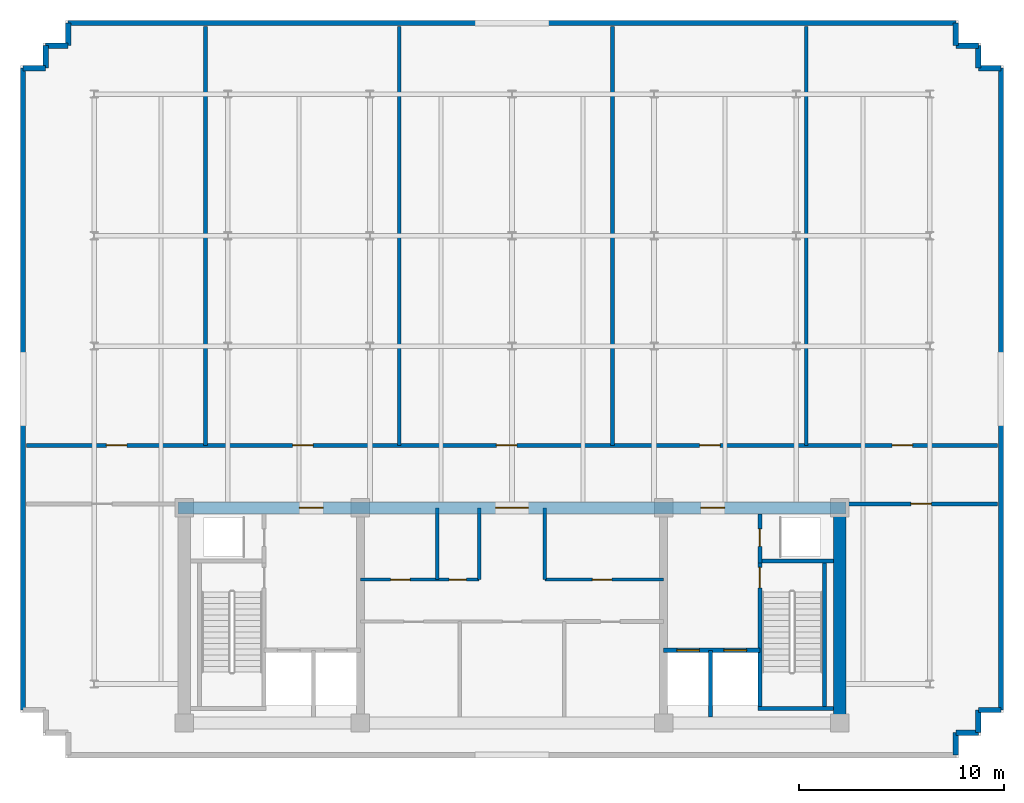
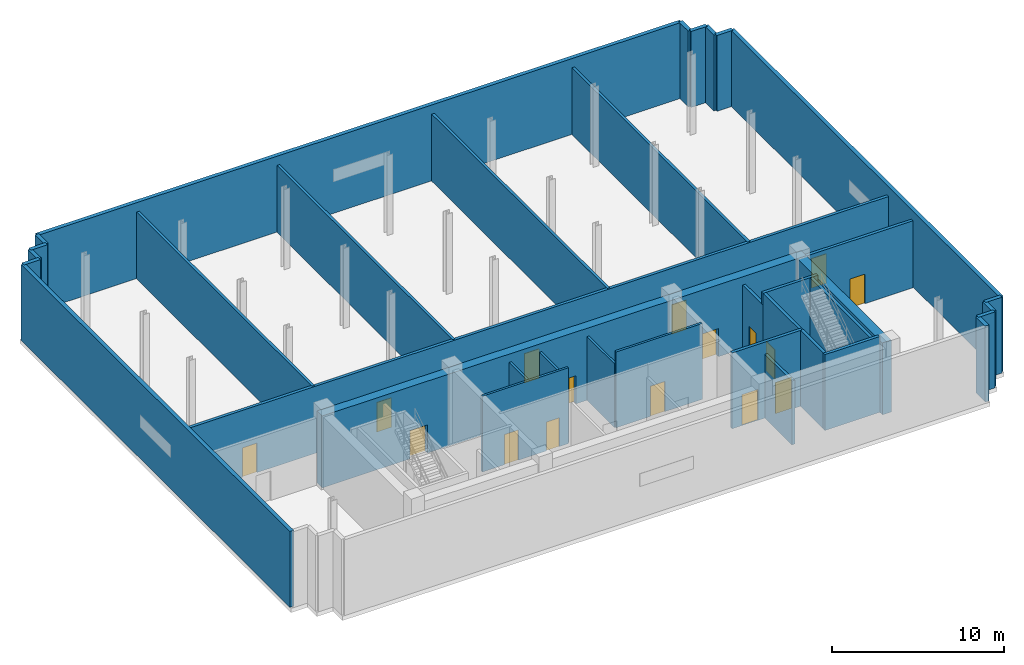
# One storey, part 3 of 6: 35 walls, 16 doors, 16 openings.
"""IFC4 building model written with IfcOpenShell, lengths in metres."""

from ifc_helpers import new_model, si_unit, direction, frame, frame_2d, origin, place, context, subcontext, project, spatial, rectangle, extrude, material, layer, layer_set, type_object, element, fill, save


model = new_model("IFC4")

# Units and contexts
model_context = context("Model", 3, precision=1e-05, world=origin(), true_north=direction((0.0, 1.0)))
body_context = subcontext(model_context, "Body", "Model", "MODEL_VIEW")
ifc_project = project(units=[si_unit("LENGTHUNIT", "METRE"), si_unit("AREAUNIT", "SQUARE_METRE"), si_unit("VOLUMEUNIT", "CUBIC_METRE"), si_unit("PLANEANGLEUNIT", "RADIAN"), si_unit("MASSUNIT", "GRAM", prefix="KILO")], contexts=[model_context])

# Site, building, storey
site_placement = place(None, origin())
site = spatial("IfcSite", under=ifc_project, at=site_placement, CompositionType="ELEMENT")
building_placement = place(site_placement, origin())
building = spatial("IfcBuilding", under=site, at=building_placement, Name="Solmavex Isthmus Hotel", CompositionType="ELEMENT")
storey_placement = place(building_placement, frame((0.0, 0.0, 297.0)))
storey = spatial("IfcBuildingStorey", under=building, at=storey_placement, Name="L80", CompositionType="ELEMENT", Elevation=297.0)

# Walls
ifc_material_1 = material(Name="Precast Concrete C40/50", Category="concrete")
ifc_layer_1 = layer(ifc_material_1, 0.260009765625)
ifc_layer_set_1 = layer_set([ifc_layer_1], Name="Precast Concrete C40/50")
wall_type_1 = type_object("IfcWallType", Name="EW-CRN-260", PredefinedType="STANDARD", material=ifc_layer_set_1)
wall_1_placement = place(storey_placement, frame((-23.8701171875, -12.3701171875, 0.0), z_axis=(0.0, 0.0, 1.0), x_axis=(0.0, 1.0, 0.0)))
element("IfcWall", 1, at=wall_1_placement, inside=storey, type_object=wall_type_1, Name="Plant Acoustic Louvre Enclosure Wall L80-06", PredefinedType="STANDARD", context=body_context, shape_type="SweptSolid", body=[
    extrude(rectangle(XDim=31.340087890625, YDim=0.260009765625, at=frame_2d((15.669921875, 0.0))), origin(), (0.0, 0.0, 1.0), 5.39990234375),
])
for number, where, z_axis, x_axis, name in (
    (2, (-23.8701171875, 18.969970703125, 0.0), (0.0, 0.0, 1.0), (1.0, 0.0, 0.0), "Plant Acoustic Louvre Enclosure Wall L80-07"),
    (3, (-22.77001953125, 18.969970703125, 0.0), (0.0, 0.0, 1.0), (0.0, 1.0, 0.0), "Plant Acoustic Louvre Enclosure Wall L80-08"),
    (4, (-22.77001953125, 20.070068359375, 0.0), (0.0, 0.0, 1.0), (1.0, 0.0, 0.0), "Plant Acoustic Louvre Enclosure Wall L80-09"),
):
    element("IfcWall", number, at=place(storey_placement, frame(where, z_axis=z_axis, x_axis=x_axis)), inside=storey, type_object=wall_type_1, Name=name, PredefinedType="STANDARD", context=body_context, shape_type="SweptSolid", body=[
        extrude(rectangle(XDim=1.10009765625, YDim=0.260009765625, at=frame_2d((0.550048828125, 0.0))), origin(), (0.0, 0.0, 1.0), 5.39990234375),
    ])
wall_2_placement = place(storey_placement, frame((-21.669921875, 20.070068359375, 0.0), z_axis=(0.0, 0.0, 1.0), x_axis=(0.0, 1.0, 0.0)))
element("IfcWall", 5, at=wall_2_placement, inside=storey, type_object=wall_type_1, Name="Plant Acoustic Louvre Enclosure Wall L80-10", PredefinedType="STANDARD", context=body_context, shape_type="SweptSolid", body=[
    extrude(rectangle(XDim=1.099853515625, YDim=0.260009765625, at=frame_2d((0.5498046875, 0.0))), origin(), (0.0, 0.0, 1.0), 5.39990234375),
])
wall_3_placement = place(storey_placement, frame((-21.669921875, 21.169921875, 0.0), z_axis=(0.0, 0.0, 1.0), x_axis=(1.0, 0.0, 0.0)))
element("IfcWall", 6, at=wall_3_placement, inside=storey, type_object=wall_type_1, Name="Plant Acoustic Louvre Enclosure Wall L80-11", PredefinedType="STANDARD", context=body_context, shape_type="SweptSolid", body=[
    extrude(rectangle(XDim=43.33984375, YDim=0.260009765625, at=frame_2d((21.669921875, 0.0))), origin(), (0.0, 0.0, 1.0), 5.39990234375),
])
wall_4_placement = place(storey_placement, frame((21.669921875, 21.169921875, 0.0), z_axis=(0.0, 0.0, 1.0), x_axis=(0.0, -1.0, 0.0)))
element("IfcWall", 7, at=wall_4_placement, inside=storey, type_object=wall_type_1, Name="Plant Acoustic Louvre Enclosure Wall L80-12", PredefinedType="STANDARD", context=body_context, shape_type="SweptSolid", body=[
    extrude(rectangle(XDim=1.099853515625, YDim=0.260009765625, at=frame_2d((0.5498046875, 0.0))), origin(), (0.0, 0.0, 1.0), 5.39990234375),
])
for number, where, z_axis, x_axis, name in (
    (8, (21.669921875, 20.070068359375, 0.0), (0.0, 0.0, 1.0), (1.0, 0.0, 0.0), "Plant Acoustic Louvre Enclosure Wall L80-13"),
    (9, (22.77001953125, 20.070068359375, 0.0), (0.0, 0.0, 1.0), (0.0, -1.0, 0.0), "Plant Acoustic Louvre Enclosure Wall L80-14"),
    (10, (22.77001953125, 18.969970703125, 0.0), (0.0, 0.0, 1.0), (1.0, 0.0, 0.0), "Plant Acoustic Louvre Enclosure Wall L80-15"),
):
    element("IfcWall", number, at=place(storey_placement, frame(where, z_axis=z_axis, x_axis=x_axis)), inside=storey, type_object=wall_type_1, Name=name, PredefinedType="STANDARD", context=body_context, shape_type="SweptSolid", body=[
        extrude(rectangle(XDim=1.10009765625, YDim=0.260009765625, at=frame_2d((0.550048828125, 0.0))), origin(), (0.0, 0.0, 1.0), 5.39990234375),
    ])
wall_5_placement = place(storey_placement, frame((23.8701171875, 18.969970703125, 0.0), z_axis=(0.0, 0.0, 1.0), x_axis=(0.0, -1.0, 0.0)))
element("IfcWall", 11, at=wall_5_placement, inside=storey, type_object=wall_type_1, Name="Plant Acoustic Louvre Enclosure Wall L80-16", PredefinedType="STANDARD", context=body_context, shape_type="SweptSolid", body=[
    extrude(rectangle(XDim=31.340087890625, YDim=0.260009765625, at=frame_2d((15.669921875, 0.0))), origin(), (0.0, 0.0, 1.0), 5.39990234375),
])
wall_6_placement = place(storey_placement, frame((23.8701171875, -12.3701171875, 0.0), z_axis=(0.0, 0.0, 1.0), x_axis=(-1.0, 0.0, 0.0)))
element("IfcWall", 12, at=wall_6_placement, inside=storey, type_object=wall_type_1, Name="Plant Acoustic Louvre Enclosure Wall L80-17", PredefinedType="STANDARD", context=body_context, shape_type="SweptSolid", body=[
    extrude(rectangle(XDim=1.10009765625, YDim=0.260009765625, at=frame_2d((0.550048828125, 0.0))), origin(), (0.0, 0.0, 1.0), 5.39990234375),
])
wall_7_placement = place(storey_placement, frame((22.77001953125, -12.3701171875, 0.0), z_axis=(0.0, 0.0, 1.0), x_axis=(0.0, -1.0, 0.0)))
element("IfcWall", 13, at=wall_7_placement, inside=storey, type_object=wall_type_1, Name="Plant Acoustic Louvre Enclosure Wall L80-18", PredefinedType="STANDARD", context=body_context, shape_type="SweptSolid", body=[
    extrude(rectangle(XDim=1.099853515625, YDim=0.260009765625, at=frame_2d((0.5498046875, 0.0))), origin(), (0.0, 0.0, 1.0), 5.39990234375),
])
for number, where, z_axis, x_axis, name in (
    (14, (22.77001953125, -13.469970703125, 0.0), (0.0, 0.0, 1.0), (-1.0, 0.0, 0.0), "Plant Acoustic Louvre Enclosure Wall L80-19"),
    (15, (21.669921875, -13.469970703125, 0.0), (0.0, 0.0, 1.0), (0.0, -1.0, 0.0), "Plant Acoustic Louvre Enclosure Wall L80-20"),
):
    element("IfcWall", number, at=place(storey_placement, frame(where, z_axis=z_axis, x_axis=x_axis)), inside=storey, type_object=wall_type_1, Name=name, PredefinedType="STANDARD", context=body_context, shape_type="SweptSolid", body=[
        extrude(rectangle(XDim=1.10009765625, YDim=0.260009765625, at=frame_2d((0.550048828125, 0.0))), origin(), (0.0, 0.0, 1.0), 5.39990234375),
    ])

# Wall, openings, doors
ifc_material_2 = material(Name="Gypsum plasterboard lining", Category="gypsum")
ifc_layer_2 = layer(ifc_material_2, 0.14990234375)
ifc_layer_set_2 = layer_set([ifc_layer_2], Name="Gypsum plasterboard lining")
wall_type_2 = type_object("IfcWallType", Name="IW-CORR-150", PredefinedType="PARTITIONING", material=ifc_layer_set_2)
wall_8_placement = place(storey_placement, frame((-7.39990234375, -6.0, 0.0), z_axis=(0.0, 0.0, 1.0), x_axis=(1.0, 0.0, 0.0)))
wall_8 = element("IfcWall", 16, at=wall_8_placement, inside=storey, type_object=wall_type_2, Name="Interior Partition Wall W-L80-BOH-WS", PredefinedType="PARTITIONING", context=body_context, shape_type="SweptSolid", body=[
    extrude(rectangle(XDim=5.7998046875, YDim=0.14990234375, at=frame_2d((2.89990234375, 0.0))), origin(), (0.0, 0.0, 1.0), 5.39990234375),
])
opening_1_placement = place(wall_8_placement, frame((1.47509765625, 0.0, 0.0)))
opening_1 = element("IfcOpeningElement", 17, at=opening_1_placement, cuts=wall_8, Name="Opening ID-C095", PredefinedType="OPENING", context=body_context, shape_type="SweptSolid", body=[
    extrude(rectangle(XDim=0.949951171875, YDim=2.14990234375, at=frame_2d((0.47509765625, 1.074951171875))), frame((0.0, 0.0849609375, 0.0), z_axis=(0.0, -1.0, 0.0), x_axis=(1.0, 0.0, 0.0)), (0.0, 0.0, 1.0), 0.169921875),
])
opening_2_placement = place(wall_8_placement, frame((4.324951171875, 0.0, 0.0)))
opening_2 = element("IfcOpeningElement", 18, at=opening_2_placement, cuts=wall_8, Name="Opening ID-R085", PredefinedType="OPENING", context=body_context, shape_type="SweptSolid", body=[
    extrude(rectangle(XDim=0.85009765625, YDim=2.050048828125, at=frame_2d((0.425048828125, 1.02490234375))), frame((0.0, 0.0849609375, 0.0), z_axis=(0.0, -1.0, 0.0), x_axis=(1.0, 0.0, 0.0)), (0.0, 0.0, 1.0), 0.169921875),
])
ifc_material_3 = material(Name="Steel ASTM A500 Grade C", Category="steel")
door_type_1 = type_object("IfcDoorType", Name="IDR-FD60-0850", OperationType="NOTDEFINED", PredefinedType="DOOR", material=ifc_material_3)
door_1_placement = place(opening_2_placement, frame((0.85009765625, 0.0, 0.0), z_axis=(0.0, 0.0, 1.0), x_axis=(-1.0, 0.0, 0.0)))
door_1 = element("IfcDoor", 19, at=door_1_placement, inside=storey, type_object=door_type_1, Name="Cleaner Closet Door L80", OperationType="SINGLE_SWING_RIGHT", OverallHeight=2.050048828125, OverallWidth=0.85009765625, PredefinedType="DOOR", context=body_context, shape_type="SweptSolid", body=[
    extrude(rectangle(XDim=0.85009765625, YDim=2.050048828125, at=frame_2d((0.425048828125, 1.02490234375))), frame((0.0, 0.02490234375, 0.0), z_axis=(0.0, -1.0, 0.0), x_axis=(1.0, 0.0, 0.0)), (0.0, 0.0, 1.0), 0.050048828125),
])
fill(opening_2, door_1)
ifc_material_4 = material(Name="Hardwood timber", Category="wood")
door_type_2 = type_object("IfcDoorType", Name="IDR-FD60-0950", OperationType="NOTDEFINED", PredefinedType="DOOR", material=ifc_material_4)
door_2_placement = place(opening_1_placement, frame((0.949951171875, 0.0, 0.0), z_axis=(0.0, 0.0, 1.0), x_axis=(-1.0, 0.0, 0.0)))
door_2 = element("IfcDoor", 20, at=door_2_placement, inside=storey, type_object=door_type_2, Name="Housekeeping Store Door L80", OperationType="SINGLE_SWING_LEFT", OverallHeight=2.14990234375, OverallWidth=0.949951171875, PredefinedType="DOOR", context=body_context, shape_type="SweptSolid", body=[
    extrude(rectangle(XDim=0.949951171875, YDim=2.14990234375, at=frame_2d((0.47509765625, 1.074951171875))), frame((0.0, 0.02490234375, 0.0), z_axis=(0.0, -1.0, 0.0), x_axis=(1.0, 0.0, 0.0)), (0.0, 0.0, 1.0), 0.050048828125),
])
fill(opening_1, door_2)

# Wall
wall_9_placement = place(storey_placement, frame((-1.60009765625, -6.0, 0.0), z_axis=(0.0, 0.0, 1.0), x_axis=(0.0, 1.0, 0.0)))
element("IfcWall", 21, at=wall_9_placement, inside=storey, type_object=wall_type_2, Name="Interior Partition Wall W-L80-BOH-WE", PredefinedType="PARTITIONING", context=body_context, shape_type="SweptSolid", body=[
    extrude(rectangle(XDim=3.5, YDim=0.14990234375, at=frame_2d((1.75, 0.0))), origin(), (0.0, 0.0, 1.0), 4.534912109375),
])

# Wall, opening, door
wall_10_placement = place(storey_placement, frame((1.60009765625, -6.0, 0.0), z_axis=(0.0, 0.0, 1.0), x_axis=(1.0, 0.0, 0.0)))
wall_10 = element("IfcWall", 22, at=wall_10_placement, inside=storey, type_object=wall_type_2, Name="Interior Partition Wall W-L80-BOH-ES", PredefinedType="PARTITIONING", context=body_context, shape_type="SweptSolid", body=[
    extrude(rectangle(XDim=5.7998046875, YDim=0.14990234375, at=frame_2d((2.89990234375, 0.0))), origin(), (0.0, 0.0, 1.0), 5.39990234375),
])
opening_3_placement = place(wall_10_placement, frame((2.324951171875, 0.0, 0.0)))
opening_3 = element("IfcOpeningElement", 23, at=opening_3_placement, cuts=wall_10, Name="Opening ID-C095", PredefinedType="OPENING", context=body_context, shape_type="SweptSolid", body=[
    extrude(rectangle(XDim=0.949951171875, YDim=2.14990234375, at=frame_2d((0.47509765625, 1.074951171875))), frame((0.0, 0.0849609375, 0.0), z_axis=(0.0, -1.0, 0.0), x_axis=(1.0, 0.0, 0.0)), (0.0, 0.0, 1.0), 0.169921875),
])
door_3_placement = place(opening_3_placement, frame((0.949951171875, 0.0, 0.0), z_axis=(0.0, 0.0, 1.0), x_axis=(-1.0, 0.0, 0.0)))
door_3 = element("IfcDoor", 24, at=door_3_placement, inside=storey, type_object=door_type_2, Name="Butler Pantry Door L80", OperationType="SINGLE_SWING_RIGHT", OverallHeight=2.14990234375, OverallWidth=0.949951171875, PredefinedType="DOOR", context=body_context, shape_type="SweptSolid", body=[
    extrude(rectangle(XDim=0.949951171875, YDim=2.14990234375, at=frame_2d((0.47509765625, 1.074951171875))), frame((0.0, 0.02490234375, 0.0), z_axis=(0.0, -1.0, 0.0), x_axis=(1.0, 0.0, 0.0)), (0.0, 0.0, 1.0), 0.050048828125),
])
fill(opening_3, door_3)

# Walls
wall_11_placement = place(storey_placement, frame((1.60009765625, -6.0, 0.0), z_axis=(0.0, 0.0, 1.0), x_axis=(0.0, 1.0, 0.0)))
element("IfcWall", 25, at=wall_11_placement, inside=storey, type_object=wall_type_2, Name="Interior Partition Wall W-L80-BOH-EW", PredefinedType="PARTITIONING", context=body_context, shape_type="SweptSolid", body=[
    extrude(rectangle(XDim=3.5, YDim=0.14990234375, at=frame_2d((1.75, 0.0))), origin(), (0.0, 0.0, 1.0), 4.534912109375),
])
ifc_layer_3 = layer(ifc_material_2, 0.1201171875)
ifc_layer_set_3 = layer_set([ifc_layer_3], Name="Gypsum plasterboard lining")
wall_type_3 = type_object("IfcWallType", Name="IW-PART-120", PredefinedType="PARTITIONING", material=ifc_layer_set_3)
wall_12_placement = place(storey_placement, frame((-3.64990234375, -6.0, 0.0), z_axis=(0.0, 0.0, 1.0), x_axis=(0.0, 1.0, 0.0)))
element("IfcWall", 26, at=wall_12_placement, inside=storey, type_object=wall_type_3, Name="Interior Partition Wall W-L80-BOH-WM1", PredefinedType="PARTITIONING", context=body_context, shape_type="SweptSolid", body=[
    extrude(rectangle(XDim=3.5, YDim=0.14990234375, at=frame_2d((1.75, 0.0))), origin(), (0.0, 0.0, 1.0), 4.534912109375),
])
ifc_material_5 = material(Name="Concrete C40/50", Category="concrete")
ifc_layer_4 = layer(ifc_material_5, 0.179931640625)
ifc_layer_set_4 = layer_set([ifc_layer_4], Name="Concrete C40/50")
wall_type_4 = type_object("IfcWallType", Name="IW-SHAFT-180", PredefinedType="PARTITIONING", material=ifc_layer_set_4)
for number, where, z_axis, x_axis, name in (
    (27, (-14.9599609375, 0.550048828125, 0.0), (0.0, 0.0, 1.0), (0.0, 1.0, 0.0), "Interior Partition Wall W-L80-PX1"),
    (28, (-5.5, 0.550048828125, 0.0), (0.0, 0.0, 1.0), (0.0, 1.0, 0.0), "Interior Partition Wall W-L80-PX2"),
    (29, (4.909912109375, 0.550048828125, 0.0), (0.0, 0.0, 1.0), (0.0, 1.0, 0.0), "Interior Partition Wall W-L80-PX3"),
    (30, (14.360107421875, 0.550048828125, 0.0), (0.0, 0.0, 1.0), (0.0, 1.0, 0.0), "Interior Partition Wall W-L80-PX4"),
):
    element("IfcWall", number, at=place(storey_placement, frame(where, z_axis=z_axis, x_axis=x_axis)), inside=storey, type_object=wall_type_4, Name=name, PredefinedType="PARTITIONING", context=body_context, shape_type="SweptSolid", body=[
        extrude(rectangle(XDim=20.4599609375, YDim=0.179931640625, at=frame_2d((10.22998046875, 0.0))), origin(), (0.0, 0.0, 1.0), 4.767578125),
    ])

# Wall, opening, door
ifc_layer_5 = layer(ifc_material_5, 0.199951171875)
ifc_layer_set_5 = layer_set([ifc_layer_5], Name="Concrete C40/50")
wall_type_5 = type_object("IfcWallType", Name="IW-SHAFT-200", PredefinedType="PARTITIONING", material=ifc_layer_set_5)
wall_13_placement = place(storey_placement, frame((12.10009765625, -5.199951171875, 0.0), z_axis=(0.0, 0.0, 1.0), x_axis=(0.0, 1.0, 0.0)))
wall_13 = element("IfcWall", 31, at=wall_13_placement, inside=storey, type_object=wall_type_5, Name="Interior Partition Wall W-L80-RSE-W", PredefinedType="PARTITIONING", context=body_context, shape_type="SweptSolid", body=[
    extrude(rectangle(XDim=2.39990234375, YDim=0.199951171875, at=frame_2d((1.199951171875, 0.0))), origin(), (0.0, 0.0, 1.0), 4.534912109375),
])
opening_4_placement = place(wall_13_placement, frame((0.824951171875, 0.0, 0.0)))
opening_4 = element("IfcOpeningElement", 32, at=opening_4_placement, cuts=wall_13, Name="Opening ID-R085", PredefinedType="OPENING", context=body_context, shape_type="SweptSolid", body=[
    extrude(rectangle(XDim=0.85009765625, YDim=2.050048828125, at=frame_2d((0.425048828125, 1.02490234375))), frame((0.0, 0.10986328125, 0.0), z_axis=(0.0, -1.0, 0.0), x_axis=(1.0, 0.0, 0.0)), (0.0, 0.0, 1.0), 0.219970703125),
])
door_4_placement = place(opening_4_placement, frame((0.85009765625, 0.0, 0.0), z_axis=(0.0, 0.0, 1.0), x_axis=(-1.0, 0.0, 0.0)))
door_4 = element("IfcDoor", 33, at=door_4_placement, inside=storey, type_object=door_type_1, Name="Mechanical Riser Door L80", OperationType="SINGLE_SWING_LEFT", OverallHeight=2.050048828125, OverallWidth=0.85009765625, PredefinedType="DOOR", context=body_context, shape_type="SweptSolid", body=[
    extrude(rectangle(XDim=0.85009765625, YDim=2.050048828125, at=frame_2d((0.425048828125, 1.02490234375))), frame((0.0, 0.02490234375, 0.0), z_axis=(0.0, -1.0, 0.0), x_axis=(1.0, 0.0, 0.0)), (0.0, 0.0, 1.0), 0.050048828125),
])
fill(opening_4, door_4)

# Wall, openings, doors
wall_14_placement = place(storey_placement, frame((7.39990234375, -9.449951171875, 0.0), z_axis=(0.0, 0.0, 1.0), x_axis=(1.0, 0.0, 0.0)))
wall_14 = element("IfcWall", 34, at=wall_14_placement, inside=storey, type_object=wall_type_5, Name="Interior Partition Wall W-L80-FFLE-S", PredefinedType="PARTITIONING", context=body_context, shape_type="SweptSolid", body=[
    extrude(rectangle(XDim=4.7001953125, YDim=0.199951171875, at=frame_2d((2.35009765625, 0.0))), origin(), (0.0, 0.0, 1.0), 5.39990234375),
])
opening_5_placement = place(wall_14_placement, frame((2.949951171875, 0.0, 0.0)))
opening_5 = element("IfcOpeningElement", 35, at=opening_5_placement, cuts=wall_14, Name="Opening LD-FF", PredefinedType="OPENING", context=body_context, shape_type="SweptSolid", body=[
    extrude(rectangle(XDim=1.10009765625, YDim=2.199951171875, at=frame_2d((0.550048828125, 1.10009765625))), frame((0.0, 0.10986328125, 0.0), z_axis=(0.0, -1.0, 0.0), x_axis=(1.0, 0.0, 0.0)), (0.0, 0.0, 1.0), 0.219970703125),
])
opening_6_placement = place(wall_14_placement, frame((0.64990234375, 0.0, 0.0)))
opening_6 = element("IfcOpeningElement", 36, at=opening_6_placement, cuts=wall_14, Name="Opening LD-SV", PredefinedType="OPENING", context=body_context, shape_type="SweptSolid", body=[
    extrude(rectangle(XDim=1.10009765625, YDim=2.199951171875, at=frame_2d((0.550048828125, 1.10009765625))), frame((0.0, 0.10986328125, 0.0), z_axis=(0.0, -1.0, 0.0), x_axis=(1.0, 0.0, 0.0)), (0.0, 0.0, 1.0), 0.219970703125),
])
ifc_material_6 = material(Name="Stainless steel 316", Category="steel")
door_type_3 = type_object("IfcDoorType", Name="LDR-FF-1100", OperationType="NOTDEFINED", PredefinedType="DOOR", material=ifc_material_6)
door_5_placement = place(opening_5_placement, origin())
door_5 = element("IfcDoor", 37, at=door_5_placement, inside=storey, type_object=door_type_3, Name="Lift Landing Door FFL-2 L80", OperationType="SLIDING_TO_LEFT", OverallHeight=2.199951171875, OverallWidth=1.10009765625, PredefinedType="DOOR", context=body_context, shape_type="SweptSolid", body=[
    extrude(rectangle(XDim=1.10009765625, YDim=2.199951171875, at=frame_2d((0.550048828125, 1.10009765625))), frame((0.0, 0.02490234375, 0.0), z_axis=(0.0, -1.0, 0.0), x_axis=(1.0, 0.0, 0.0)), (0.0, 0.0, 1.0), 0.050048828125),
])
fill(opening_5, door_5)
door_type_4 = type_object("IfcDoorType", Name="LDR-SV-1100", OperationType="NOTDEFINED", PredefinedType="DOOR", material=ifc_material_6)
door_6_placement = place(opening_6_placement, origin())
door_6 = element("IfcDoor", 38, at=door_6_placement, inside=storey, type_object=door_type_4, Name="Lift Landing Door SVL-2 L80", OperationType="SLIDING_TO_RIGHT", OverallHeight=2.199951171875, OverallWidth=1.10009765625, PredefinedType="DOOR", context=body_context, shape_type="SweptSolid", body=[
    extrude(rectangle(XDim=1.10009765625, YDim=2.199951171875, at=frame_2d((0.550048828125, 1.10009765625))), frame((0.0, 0.02490234375, 0.0), z_axis=(0.0, -1.0, 0.0), x_axis=(1.0, 0.0, 0.0)), (0.0, 0.0, 1.0), 0.050048828125),
])
fill(opening_6, door_6)

# Wall
wall_15_placement = place(storey_placement, frame((9.699951171875, -12.699951171875, 0.0), z_axis=(0.0, 0.0, 1.0), x_axis=(0.0, 1.0, 0.0)))
element("IfcWall", 39, at=wall_15_placement, inside=storey, type_object=wall_type_5, Name="Interior Partition Wall W-L80-FFLE-M", PredefinedType="PARTITIONING", context=body_context, shape_type="SweptSolid", body=[
    extrude(rectangle(XDim=3.25, YDim=0.199951171875, at=frame_2d((1.625, 0.0))), origin(), (0.0, 0.0, 1.0), 4.534912109375),
])

# Wall, openings, doors
wall_16_placement = place(storey_placement, frame((-23.7099609375, 0.550048828125, 0.0), z_axis=(0.0, 0.0, 1.0), x_axis=(1.0, 0.0, 0.0)))
wall_16 = element("IfcWall", 40, at=wall_16_placement, inside=storey, type_object=wall_type_5, Name="Interior Partition Wall W-L80-PN", PredefinedType="PARTITIONING", context=body_context, shape_type="SweptSolid", body=[
    extrude(rectangle(XDim=47.419921875, YDim=0.199951171875, at=frame_2d((23.7099609375, 0.0))), origin(), (0.0, 0.0, 1.0), 4.767578125),
])
opening_7_placement = place(wall_16_placement, frame((3.905029296875, 0.0, 0.0)))
opening_7 = element("IfcOpeningElement", 41, at=opening_7_placement, cuts=wall_16, Name="Opening ID-F100", PredefinedType="OPENING", context=body_context, shape_type="SweptSolid", body=[
    extrude(rectangle(XDim=1.0, YDim=2.10009765625, at=frame_2d((0.5, 1.050048828125))), frame((0.0, 0.10986328125, 0.0), z_axis=(0.0, -1.0, 0.0), x_axis=(1.0, 0.0, 0.0)), (0.0, 0.0, 1.0), 0.219970703125),
])
opening_8_placement = place(wall_16_placement, frame((13.0048828125, 0.0, 0.0)))
opening_8 = element("IfcOpeningElement", 42, at=opening_8_placement, cuts=wall_16, Name="Opening ID-F100", PredefinedType="OPENING", context=body_context, shape_type="SweptSolid", body=[
    extrude(rectangle(XDim=1.0, YDim=2.10009765625, at=frame_2d((0.5, 1.050048828125))), frame((0.0, 0.10986328125, 0.0), z_axis=(0.0, -1.0, 0.0), x_axis=(1.0, 0.0, 0.0)), (0.0, 0.0, 1.0), 0.219970703125),
])
opening_9_placement = place(wall_16_placement, frame((22.945068359375, 0.0, 0.0)))
opening_9 = element("IfcOpeningElement", 43, at=opening_9_placement, cuts=wall_16, Name="Opening ID-F100", PredefinedType="OPENING", context=body_context, shape_type="SweptSolid", body=[
    extrude(rectangle(XDim=1.0, YDim=2.10009765625, at=frame_2d((0.5, 1.050048828125))), frame((0.0, 0.10986328125, 0.0), z_axis=(0.0, -1.0, 0.0), x_axis=(1.0, 0.0, 0.0)), (0.0, 0.0, 1.0), 0.219970703125),
])
opening_10_placement = place(wall_16_placement, frame((32.864990234375, 0.0, 0.0)))
opening_10 = element("IfcOpeningElement", 44, at=opening_10_placement, cuts=wall_16, Name="Opening ID-F100", PredefinedType="OPENING", context=body_context, shape_type="SweptSolid", body=[
    extrude(rectangle(XDim=1.0, YDim=2.10009765625, at=frame_2d((0.5, 1.050048828125))), frame((0.0, 0.10986328125, 0.0), z_axis=(0.0, -1.0, 0.0), x_axis=(1.0, 0.0, 0.0)), (0.0, 0.0, 1.0), 0.219970703125),
])
opening_11_placement = place(wall_16_placement, frame((42.264892578125, 0.0, 0.0)))
opening_11 = element("IfcOpeningElement", 45, at=opening_11_placement, cuts=wall_16, Name="Opening ID-F100", PredefinedType="OPENING", context=body_context, shape_type="SweptSolid", body=[
    extrude(rectangle(XDim=1.0, YDim=2.10009765625, at=frame_2d((0.5, 1.050048828125))), frame((0.0, 0.10986328125, 0.0), z_axis=(0.0, -1.0, 0.0), x_axis=(1.0, 0.0, 0.0)), (0.0, 0.0, 1.0), 0.219970703125),
])
door_type_5 = type_object("IfcDoorType", Name="IDR-FD90-1000", OperationType="NOTDEFINED", PredefinedType="DOOR", material=ifc_material_3)
door_7_placement = place(opening_7_placement, origin())
door_7 = element("IfcDoor", 46, at=door_7_placement, inside=storey, type_object=door_type_5, Name="Central Centrifugal Chiller Plant Room Door L80-1", OperationType="SINGLE_SWING_LEFT", OverallHeight=2.10009765625, OverallWidth=1.0, PredefinedType="DOOR", context=body_context, shape_type="SweptSolid", body=[
    extrude(rectangle(XDim=1.0, YDim=2.10009765625, at=frame_2d((0.5, 1.050048828125))), frame((0.0, 0.02490234375, 0.0), z_axis=(0.0, -1.0, 0.0), x_axis=(1.0, 0.0, 0.0)), (0.0, 0.0, 1.0), 0.050048828125),
])
fill(opening_7, door_7)
door_8_placement = place(opening_8_placement, origin())
door_8 = element("IfcDoor", 47, at=door_8_placement, inside=storey, type_object=door_type_5, Name="Fire Reserve Water Tank Plant Room Door L80-2", OperationType="SINGLE_SWING_RIGHT", OverallHeight=2.10009765625, OverallWidth=1.0, PredefinedType="DOOR", context=body_context, shape_type="SweptSolid", body=[
    extrude(rectangle(XDim=1.0, YDim=2.10009765625, at=frame_2d((0.5, 1.050048828125))), frame((0.0, 0.02490234375, 0.0), z_axis=(0.0, -1.0, 0.0), x_axis=(1.0, 0.0, 0.0)), (0.0, 0.0, 1.0), 0.050048828125),
])
fill(opening_8, door_8)
door_9_placement = place(opening_9_placement, origin())
door_9 = element("IfcDoor", 48, at=door_9_placement, inside=storey, type_object=door_type_5, Name="Heat Recovery Boiler Plant Room Door L80-3", OperationType="SINGLE_SWING_LEFT", OverallHeight=2.10009765625, OverallWidth=1.0, PredefinedType="DOOR", context=body_context, shape_type="SweptSolid", body=[
    extrude(rectangle(XDim=1.0, YDim=2.10009765625, at=frame_2d((0.5, 1.050048828125))), frame((0.0, 0.02490234375, 0.0), z_axis=(0.0, -1.0, 0.0), x_axis=(1.0, 0.0, 0.0)), (0.0, 0.0, 1.0), 0.050048828125),
])
fill(opening_9, door_9)
door_10_placement = place(opening_10_placement, origin())
door_10 = element("IfcDoor", 49, at=door_10_placement, inside=storey, type_object=door_type_5, Name="Emergency UPS Power Plant Room Door L80-4", OperationType="SINGLE_SWING_RIGHT", OverallHeight=2.10009765625, OverallWidth=1.0, PredefinedType="DOOR", context=body_context, shape_type="SweptSolid", body=[
    extrude(rectangle(XDim=1.0, YDim=2.10009765625, at=frame_2d((0.5, 1.050048828125))), frame((0.0, 0.02490234375, 0.0), z_axis=(0.0, -1.0, 0.0), x_axis=(1.0, 0.0, 0.0)), (0.0, 0.0, 1.0), 0.050048828125),
])
fill(opening_10, door_10)
door_11_placement = place(opening_11_placement, origin())
door_11 = element("IfcDoor", 50, at=door_11_placement, inside=storey, type_object=door_type_5, Name="Condenser Water Pump Plant Room Door L80-5", OperationType="SINGLE_SWING_LEFT", OverallHeight=2.10009765625, OverallWidth=1.0, PredefinedType="DOOR", context=body_context, shape_type="SweptSolid", body=[
    extrude(rectangle(XDim=1.0, YDim=2.10009765625, at=frame_2d((0.5, 1.050048828125))), frame((0.0, 0.02490234375, 0.0), z_axis=(0.0, -1.0, 0.0), x_axis=(1.0, 0.0, 0.0)), (0.0, 0.0, 1.0), 0.050048828125),
])
fill(opening_11, door_11)

# Wall, opening, door
wall_17_placement = place(storey_placement, frame((16.300048828125, -2.300048828125, 0.0), z_axis=(0.0, 0.0, 1.0), x_axis=(1.0, 0.0, 0.0)))
wall_17 = element("IfcWall", 51, at=wall_17_placement, inside=storey, type_object=wall_type_5, Name="Interior Partition Wall W-L80-PSE", PredefinedType="PARTITIONING", context=body_context, shape_type="SweptSolid", body=[
    extrude(rectangle(XDim=7.409912109375, YDim=0.199951171875, at=frame_2d((3.705078125, 0.0))), origin(), (0.0, 0.0, 1.0), 4.767578125),
])
opening_12_placement = place(wall_17_placement, frame((3.175048828125, 0.0, 0.0)))
opening_12 = element("IfcOpeningElement", 52, at=opening_12_placement, cuts=wall_17, Name="Opening ID-F100", PredefinedType="OPENING", context=body_context, shape_type="SweptSolid", body=[
    extrude(rectangle(XDim=1.0, YDim=2.10009765625, at=frame_2d((0.5, 1.050048828125))), frame((0.0, 0.10986328125, 0.0), z_axis=(0.0, -1.0, 0.0), x_axis=(1.0, 0.0, 0.0)), (0.0, 0.0, 1.0), 0.219970703125),
])
door_12_placement = place(opening_12_placement, frame((1.0, 0.0, 0.0), z_axis=(0.0, 0.0, 1.0), x_axis=(-1.0, 0.0, 0.0)))
door_12 = element("IfcDoor", 53, at=door_12_placement, inside=storey, type_object=door_type_5, Name="Emergency Telecom and BMS Plant Room Door L80", OperationType="SINGLE_SWING_RIGHT", OverallHeight=2.10009765625, OverallWidth=1.0, PredefinedType="DOOR", context=body_context, shape_type="SweptSolid", body=[
    extrude(rectangle(XDim=1.0, YDim=2.10009765625, at=frame_2d((0.5, 1.050048828125))), frame((0.0, 0.02490234375, 0.0), z_axis=(0.0, -1.0, 0.0), x_axis=(1.0, 0.0, 0.0)), (0.0, 0.0, 1.0), 0.050048828125),
])
fill(opening_12, door_12)

# Wall, openings, doors
ifc_material_7 = material(Name="Concrete C50/60", Category="concrete")
ifc_layer_6 = layer(ifc_material_7, 0.60009765625)
ifc_layer_set_6 = layer_set([ifc_layer_6], Name="Concrete C50/60")
wall_type_6 = type_object("IfcWallType", Name="WALL-CW-600", PredefinedType="SHEAR", material=ifc_layer_set_6)
wall_18_placement = place(storey_placement, frame((-16.300048828125, -2.5, 0.0), z_axis=(0.0, 0.0, 1.0), x_axis=(1.0, 0.0, 0.0)))
wall_18 = element("IfcWall", 54, at=wall_18_placement, inside=storey, type_object=wall_type_6, Name="Core Shear Wall North L80", PredefinedType="SHEAR", context=body_context, shape_type="SweptSolid", body=[
    extrude(rectangle(XDim=32.60009765625, YDim=0.60009765625, at=frame_2d((16.300048828125, 0.0))), origin(), (0.0, 0.0, 1.0), 5.1201171875),
])
opening_13_placement = place(wall_18_placement, frame((5.925048828125, 0.0, 0.0)))
opening_13 = element("IfcOpeningElement", 55, at=opening_13_placement, cuts=wall_18, Name="Opening ID-F915", PredefinedType="OPENING", context=body_context, shape_type="SweptSolid", body=[
    extrude(rectangle(XDim=1.14990234375, YDim=2.0, at=frame_2d((0.574951171875, 1.0))), frame((0.0, 0.31005859375, 0.0), z_axis=(0.0, -1.0, 0.0), x_axis=(1.0, 0.0, 0.0)), (0.0, 0.0, 1.0), 0.6201171875),
])
opening_14_placement = place(wall_18_placement, frame((15.5, 0.0, 0.0)))
opening_14 = element("IfcOpeningElement", 56, at=opening_14_placement, cuts=wall_18, Name="Opening ID-F960", PredefinedType="OPENING", context=body_context, shape_type="SweptSolid", body=[
    extrude(rectangle(XDim=1.60009765625, YDim=2.0, at=frame_2d((0.800048828125, 1.0))), frame((0.0, 0.31005859375, 0.0), z_axis=(0.0, -1.0, 0.0), x_axis=(1.0, 0.0, 0.0)), (0.0, 0.0, 1.0), 0.6201171875),
])
opening_15_placement = place(wall_18_placement, frame((25.52490234375, 0.0, 0.0)))
opening_15 = element("IfcOpeningElement", 57, at=opening_15_placement, cuts=wall_18, Name="Opening ID-F915", PredefinedType="OPENING", context=body_context, shape_type="SweptSolid", body=[
    extrude(rectangle(XDim=1.14990234375, YDim=2.0, at=frame_2d((0.574951171875, 1.0))), frame((0.0, 0.31005859375, 0.0), z_axis=(0.0, -1.0, 0.0), x_axis=(1.0, 0.0, 0.0)), (0.0, 0.0, 1.0), 0.6201171875),
])
door_type_6 = type_object("IfcDoorType", Name="IDR-FD90-1150C", OperationType="NOTDEFINED", PredefinedType="DOOR", material=ifc_material_3)
door_13_placement = place(opening_13_placement, origin())
door_13 = element("IfcDoor", 58, at=door_13_placement, inside=storey, type_object=door_type_6, Name="Firefighting Lobby West Exit Door L80", OperationType="SINGLE_SWING_LEFT", OverallHeight=2.0, OverallWidth=1.14990234375, PredefinedType="DOOR", context=body_context, shape_type="SweptSolid", body=[
    extrude(rectangle(XDim=1.14990234375, YDim=2.0, at=frame_2d((0.574951171875, 1.0))), frame((0.0, 0.02490234375, 0.0), z_axis=(0.0, -1.0, 0.0), x_axis=(1.0, 0.0, 0.0)), (0.0, 0.0, 1.0), 0.050048828125),
])
fill(opening_13, door_13)
door_14_placement = place(opening_15_placement, origin())
door_14 = element("IfcDoor", 59, at=door_14_placement, inside=storey, type_object=door_type_6, Name="Firefighting Lobby East Exit Door L80", OperationType="SINGLE_SWING_RIGHT", OverallHeight=2.0, OverallWidth=1.14990234375, PredefinedType="DOOR", context=body_context, shape_type="SweptSolid", body=[
    extrude(rectangle(XDim=1.14990234375, YDim=2.0, at=frame_2d((0.574951171875, 1.0))), frame((0.0, 0.02490234375, 0.0), z_axis=(0.0, -1.0, 0.0), x_axis=(1.0, 0.0, 0.0)), (0.0, 0.0, 1.0), 0.050048828125),
])
fill(opening_15, door_14)
door_type_7 = type_object("IfcDoorType", Name="IDR-FD90-1600C", OperationType="NOTDEFINED", PredefinedType="DOOR", material=ifc_material_3)
door_15_placement = place(opening_14_placement, origin())
door_15 = element("IfcDoor", 60, at=door_15_placement, inside=storey, type_object=door_type_7, Name="Central Lift Lobby Door L80", OperationType="DOUBLE_DOOR_SINGLE_SWING", OverallHeight=2.0, OverallWidth=1.60009765625, PredefinedType="DOOR", context=body_context, shape_type="SweptSolid", body=[
    extrude(rectangle(XDim=1.60009765625, YDim=2.0, at=frame_2d((0.800048828125, 1.0))), frame((0.0, 0.02490234375, 0.0), z_axis=(0.0, -1.0, 0.0), x_axis=(1.0, 0.0, 0.0)), (0.0, 0.0, 1.0), 0.050048828125),
])
fill(opening_14, door_15)

# Walls
wall_19_placement = place(storey_placement, frame((16.0, -12.699951171875, 0.0), z_axis=(0.0, 0.0, 1.0), x_axis=(0.0, 1.0, 0.0)))
element("IfcWall", 61, at=wall_19_placement, inside=storey, type_object=wall_type_6, Name="Core Shear Wall East L80", PredefinedType="SHEAR", context=body_context, shape_type="SweptSolid", body=[
    extrude(rectangle(XDim=9.89990234375, YDim=0.60009765625, at=frame_2d((4.949951171875, 0.0))), origin(), (0.0, 0.0, 1.0), 5.1201171875),
])
ifc_layer_7 = layer(ifc_material_5, 0.199951171875)
ifc_layer_set_7 = layer_set([ifc_layer_7], Name="Concrete C40/50")
wall_type_7 = type_object("IfcWallType", Name="WALL-SW-200", PredefinedType="SOLIDWALL", material=ifc_layer_set_7)
for number, where, z_axis, x_axis, name in (
    (62, (12.0, -12.300048828125, 0.0), (0.0, 0.0, 1.0), (1.0, 0.0, 0.0), "Stairwell Structural Wall SW-L80-ST2-S"),
    (63, (12.0, -5.10009765625, 0.0), (0.0, 0.0, 1.0), (1.0, 0.0, 0.0), "Stairwell Structural Wall SW-L80-ST2-N"),
):
    element("IfcWall", number, at=place(storey_placement, frame(where, z_axis=z_axis, x_axis=x_axis)), inside=storey, type_object=wall_type_7, Name=name, PredefinedType="SOLIDWALL", context=body_context, shape_type="SweptSolid", body=[
        extrude(rectangle(XDim=3.699951171875, YDim=0.199951171875, at=frame_2d((1.85009765625, 0.0))), origin(), (0.0, 0.0, 1.0), 5.39990234375),
    ])

# Wall, opening, door
wall_20_placement = place(storey_placement, frame((12.10009765625, -12.199951171875, 0.0), z_axis=(0.0, 0.0, 1.0), x_axis=(0.0, 1.0, 0.0)))
wall_20 = element("IfcWall", 64, at=wall_20_placement, inside=storey, type_object=wall_type_7, Name="Stairwell Structural Wall SW-L80-ST2-W", PredefinedType="SOLIDWALL", context=body_context, shape_type="SweptSolid", body=[
    extrude(rectangle(XDim=7.0, YDim=0.199951171875, at=frame_2d((3.5, 0.0))), origin(), (0.0, 0.0, 1.0), 5.39990234375),
])
opening_16_placement = place(wall_20_placement, frame((5.800048828125, 0.0, 0.0)))
opening_16 = element("IfcOpeningElement", 65, at=opening_16_placement, cuts=wall_20, Name="Opening ID-F100", PredefinedType="OPENING", context=body_context, shape_type="SweptSolid", body=[
    extrude(rectangle(XDim=1.0, YDim=2.10009765625, at=frame_2d((0.5, 1.050048828125))), frame((0.0, 0.10986328125, 0.0), z_axis=(0.0, -1.0, 0.0), x_axis=(1.0, 0.0, 0.0)), (0.0, 0.0, 1.0), 0.219970703125),
])
door_16_placement = place(opening_16_placement, origin())
door_16 = element("IfcDoor", 66, at=door_16_placement, inside=storey, type_object=door_type_5, Name="Stair ST-2 Fire Door L80", OperationType="SINGLE_SWING_RIGHT", OverallHeight=2.10009765625, OverallWidth=1.0, PredefinedType="DOOR", context=body_context, shape_type="SweptSolid", body=[
    extrude(rectangle(XDim=1.0, YDim=2.10009765625, at=frame_2d((0.5, 1.050048828125))), frame((0.0, 0.02490234375, 0.0), z_axis=(0.0, -1.0, 0.0), x_axis=(1.0, 0.0, 0.0)), (0.0, 0.0, 1.0), 0.050048828125),
])
fill(opening_16, door_16)

# Wall
wall_21_placement = place(storey_placement, frame((15.25, -12.199951171875, 0.0), z_axis=(0.0, 0.0, 1.0), x_axis=(0.0, 1.0, 0.0)))
element("IfcWall", 67, at=wall_21_placement, inside=storey, type_object=wall_type_7, Name="Stairwell Structural Wall SW-L80-ST2-E", PredefinedType="SOLIDWALL", context=body_context, shape_type="SweptSolid", body=[
    extrude(rectangle(XDim=7.0, YDim=0.199951171875, at=frame_2d((3.5, 0.0))), origin(), (0.0, 0.0, 1.0), 5.39990234375),
])

save(model, "model.ifc")
